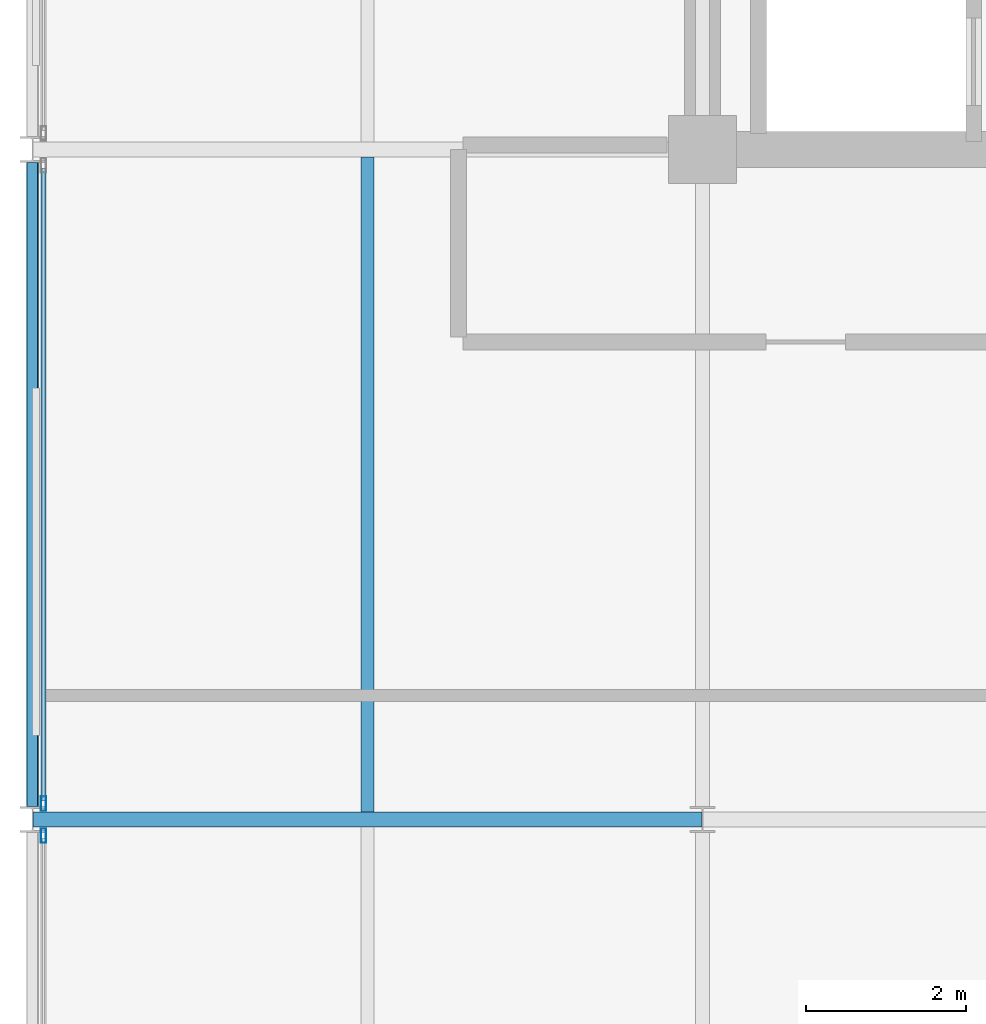
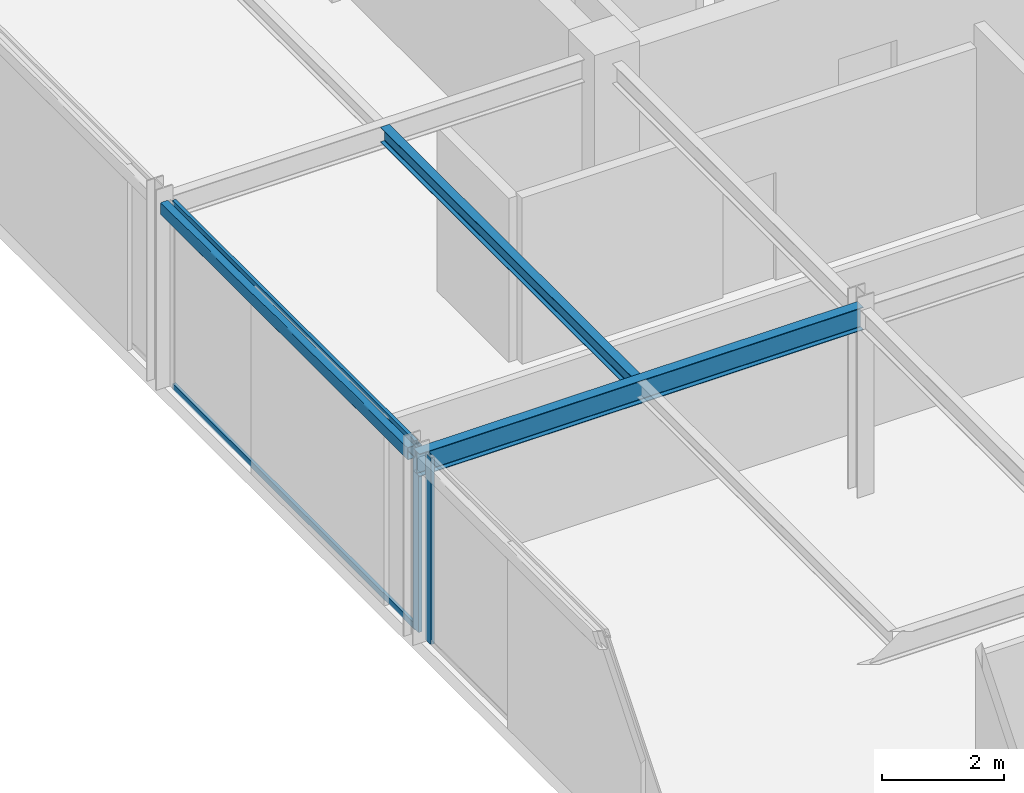
# One storey, part 9 of 26: 4 members, 3 beams, 2 elements without a shape of their own.
"""IFC4 building model written with IfcOpenShell, lengths in metres."""

from ifc_helpers import new_model, si_unit, direction, frame, origin, origin_2d, place, context, subcontext, project, spatial, hollow_rectangle, i_section, extrude, material, layer, layer_set, material_profile, profile_set, type_object, element, aggregate, save


model = new_model("IFC4")

# Units and contexts
model_context = context("Model", 3, precision=1e-05, world=origin(), true_north=direction((0.0, 1.0)))
body_context = subcontext(model_context, "Body", "Model", "MODEL_VIEW")
ifc_project = project(units=[si_unit("LENGTHUNIT", "METRE"), si_unit("AREAUNIT", "SQUARE_METRE"), si_unit("VOLUMEUNIT", "CUBIC_METRE"), si_unit("PLANEANGLEUNIT", "RADIAN"), si_unit("MASSUNIT", "GRAM", prefix="KILO")], contexts=[model_context])

# Site, building, storey
site_placement = place(None, origin())
site = spatial("IfcSite", under=ifc_project, at=site_placement, CompositionType="ELEMENT")
building_placement = place(site_placement, origin())
building = spatial("IfcBuilding", under=site, at=building_placement, Name="Nerrivon Quay Data Exchange", CompositionType="ELEMENT")
storey_placement = place(building_placement, frame((0.0, 0.0, 258.199951171875)))
storey = spatial("IfcBuildingStorey", under=building, at=storey_placement, Name="L61", CompositionType="ELEMENT", Elevation=258.199951171875)

# Beams
ifc_material_1 = material(Name="Steel Grade 350", Category="steel")
ifc_material_profile_1 = material_profile(ifc_material_1, i_section(OverallWidth=0.18994140625, OverallDepth=0.4541015625, WebThickness=0.008544921875, FlangeThickness=0.0126953125, FilletRadius=0.011474609375, at=origin_2d()), Name="460UB67.1")
ifc_profile_set_1 = profile_set([ifc_material_profile_1], Name="Steel Grade 350")
beam_type_1 = type_object("IfcBeamType", Name="BM-G6-460UB67", PredefinedType="BEAM", material=ifc_profile_set_1)
beam_1_placement = place(storey_placement, frame((0.0078125, 16.800048828125, 3.498046875), z_axis=(1.0, 0.0, 0.0), x_axis=(0.0, 1.0, 0.0)))
element("IfcBeam", 1, at=beam_1_placement, inside=storey, type_object=beam_type_1, Name="L61 EW Girder Y=16.8 (0.0..8.4)", PredefinedType="BEAM", context=body_context, shape_type="SweptSolid", body=[
    extrude(i_section(OverallWidth=0.18994140625, OverallDepth=0.4541015625, WebThickness=0.008544921875, FlangeThickness=0.0126953125, FilletRadius=0.011474609375, at=origin_2d()), origin(), (0.0, 0.0, 1.0), 8.38427734375),
])
ifc_material_profile_2 = material_profile(ifc_material_1, i_section(OverallWidth=0.1650390625, OverallDepth=0.303955078125, WebThickness=0.006103515625, FlangeThickness=0.01025390625, FilletRadius=0.011474609375, at=origin_2d()), Name="310UB40.4")
ifc_profile_set_2 = profile_set([ifc_material_profile_2], Name="Steel Grade 350")
beam_type_2 = type_object("IfcBeamType", Name="BM-J6-310UB40", PredefinedType="JOIST", material=ifc_profile_set_2)
beam_2_placement = place(storey_placement, frame((4.199951171875, 16.89501953125, 3.572998046875), z_axis=(0.0, 1.0, 0.0), x_axis=(-1.0, 0.0, 0.0)))
element("IfcBeam", 2, at=beam_2_placement, inside=storey, type_object=beam_type_2, Name="L61 Secondary Joist X=4.2 (16.8..25.2)", PredefinedType="JOIST", context=body_context, shape_type="SweptSolid", body=[
    extrude(i_section(OverallWidth=0.1650390625, OverallDepth=0.303955078125, WebThickness=0.006103515625, FlangeThickness=0.01025390625, FilletRadius=0.011474609375, at=origin_2d()), origin(), (0.0, 0.0, 1.0), 8.2099609375),
])
ifc_material_2 = material(Name="Steel Grade C350L0 (350 MPa)", Category="steel")
ifc_material_profile_3 = material_profile(ifc_material_2, hollow_rectangle(XDim=0.14990234375, YDim=0.25, WallThickness=0.009033203125, InnerFilletRadius=0.013427734375, OuterFilletRadius=0.0224609375, at=origin_2d()), Name="250x150x9.0RHS")
ifc_profile_set_3 = profile_set([ifc_material_profile_3], Name="Steel Grade C350L0 (350 MPa)")
beam_type_3 = type_object("IfcBeamType", Name="BM-SP4-250x150RHS", PredefinedType="SPANDREL", material=ifc_profile_set_3)
beam_3_placement = place(storey_placement, frame((0.0, 16.96337890625, 3.60009765625), z_axis=(0.0, 1.0, 0.0), x_axis=(-1.0, 0.0, 0.0)))
element("IfcBeam", 3, at=beam_3_placement, inside=storey, type_object=beam_type_3, Name="L61 NS Girder X=0.0 (16.8..25.2)", PredefinedType="SPANDREL", context=body_context, shape_type="SweptSolid", body=[
    extrude(hollow_rectangle(XDim=0.14990234375, YDim=0.25, WallThickness=0.009033203125, InnerFilletRadius=0.013427734375, OuterFilletRadius=0.0224609375, at=origin_2d()), origin(), (0.0, 0.0, 1.0), 8.0732421875),
])

# Curtain wall, member
ifc_material_3 = material(Name="Anodised aluminium 6063-T6", Category="aluminium")
ifc_layer = layer(ifc_material_3, 0.195068359375)
ifc_layer_set = layer_set([ifc_layer], Name="Anodised aluminium 6063-T6")
curtain_wall_type = type_object("IfcCurtainWallType", Name="CW-SYS-06", PredefinedType="NOTDEFINED", material=ifc_layer_set)
curtain_wall_1_placement = place(storey_placement, origin())
curtain_wall_1 = element("IfcCurtainWall", 4, at=curtain_wall_1_placement, inside=storey, type_object=curtain_wall_type, Name="L61 Unitised Curtain Wall 12", PredefinedType="NOTDEFINED")
ifc_material_profile_4 = material_profile(ifc_material_3, hollow_rectangle(XDim=0.06494140625, YDim=0.179931640625, WallThickness=0.00341796875, at=origin_2d()), Name="ALU-MULL-180x65")
ifc_profile_set_4 = profile_set([ifc_material_profile_4], Name="Anodised aluminium 6063-T6")
member_type_1 = type_object("IfcMemberType", Name="CWM-180x65", PredefinedType="MULLION", material=ifc_profile_set_4)
member_1_placement = place(storey_placement, frame((0.139892578125, 16.59912109375, 0.0), z_axis=(0.0, 0.0, 1.0), x_axis=(-1.0, 0.0, 0.0)))
member_1 = element("IfcMember", 5, at=member_1_placement, type_object=member_type_1, Name="CW06 mullion 2", PredefinedType="MULLION", context=body_context, shape_type="SweptSolid", body=[
    extrude(hollow_rectangle(XDim=0.06494140625, YDim=0.179931640625, WallThickness=0.00341796875, at=origin_2d()), origin(), (0.0, 0.0, 1.0), 3.72509765625),
])
aggregate(curtain_wall_1, [member_1])

# Curtain wall, members
curtain_wall_2_placement = place(storey_placement, origin())
curtain_wall_2 = element("IfcCurtainWall", 6, at=curtain_wall_2_placement, inside=storey, type_object=curtain_wall_type, Name="L61 Unitised Curtain Wall 13", PredefinedType="NOTDEFINED")
member_2_placement = place(storey_placement, frame((0.139892578125, 17.0009765625, 0.0), z_axis=(0.0, 0.0, 1.0), x_axis=(-1.0, 0.0, 0.0)))
member_2 = element("IfcMember", 7, at=member_2_placement, type_object=member_type_1, Name="CW06 mullion 1", PredefinedType="MULLION", context=body_context, shape_type="SweptSolid", body=[
    extrude(hollow_rectangle(XDim=0.06494140625, YDim=0.179931640625, WallThickness=0.00341796875, at=origin_2d()), origin(), (0.0, 0.0, 1.0), 3.72509765625),
])
ifc_material_profile_5 = material_profile(ifc_material_3, hollow_rectangle(XDim=0.06005859375, YDim=0.1201171875, WallThickness=0.003173828125, at=origin_2d()), Name="ALU-TRAN-120x60")
ifc_profile_set_5 = profile_set([ifc_material_profile_5], Name="Anodised aluminium 6063-T6")
member_type_2 = type_object("IfcMemberType", Name="CWT-120x60", PredefinedType="USERDEFINED", material=ifc_profile_set_5)
member_3_placement = place(storey_placement, frame((0.139892578125, 17.03857421875, 0.032470703125), z_axis=(0.0, 1.0, 0.0), x_axis=(-1.0, 0.0, 0.0)))
member_3 = element("IfcMember", 8, at=member_3_placement, type_object=member_type_2, Name="CW06 transom 1.1", ObjectType="TRANSOM", PredefinedType="USERDEFINED", context=body_context, shape_type="SweptSolid", body=[
    extrude(hollow_rectangle(XDim=0.06005859375, YDim=0.1201171875, WallThickness=0.003173828125, at=origin_2d()), origin(), (0.0, 0.0, 1.0), 7.9228515625),
])
member_4_placement = place(storey_placement, frame((0.139892578125, 17.03857421875, 3.692626953125), z_axis=(0.0, 1.0, 0.0), x_axis=(-1.0, 0.0, 0.0)))
member_4 = element("IfcMember", 9, at=member_4_placement, type_object=member_type_2, Name="CW06 transom 1.2", ObjectType="TRANSOM", PredefinedType="USERDEFINED", context=body_context, shape_type="SweptSolid", body=[
    extrude(hollow_rectangle(XDim=0.06005859375, YDim=0.1201171875, WallThickness=0.003173828125, at=origin_2d()), origin(), (0.0, 0.0, 1.0), 7.9228515625),
])
aggregate(curtain_wall_2, [member_2, member_3, member_4])

save(model, "model.ifc")
